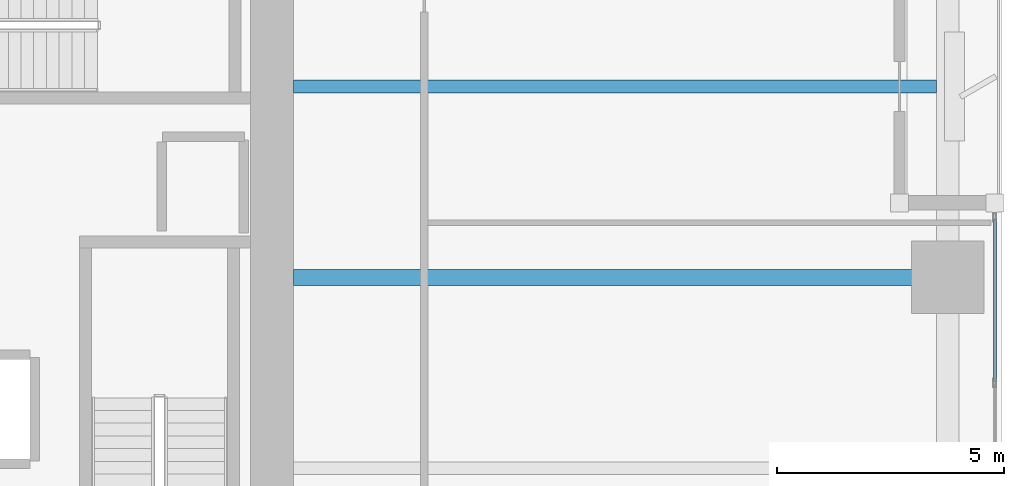
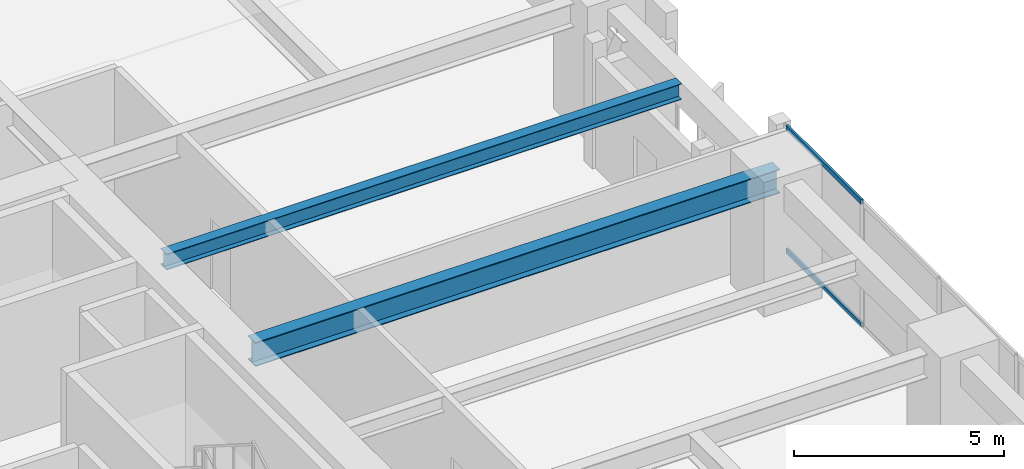
# One storey, part 9 of 28: 2 beams, 2 members, 1 element without a shape of its own.
"""IFC4 building model written with IfcOpenShell, lengths in metres."""

from ifc_helpers import new_model, si_unit, direction, frame, origin, origin_2d, place, context, subcontext, project, spatial, hollow_rectangle, i_section, extrude, material, layer, layer_set, material_profile, profile_set, type_object, element, aggregate, save


model = new_model("IFC4")

# Units and contexts
model_context = context("Model", 3, precision=1e-05, world=origin(), true_north=direction((0.0, 1.0)))
body_context = subcontext(model_context, "Body", "Model", "MODEL_VIEW")
ifc_project = project(units=[si_unit("LENGTHUNIT", "METRE"), si_unit("AREAUNIT", "SQUARE_METRE"), si_unit("VOLUMEUNIT", "CUBIC_METRE"), si_unit("PLANEANGLEUNIT", "RADIAN"), si_unit("MASSUNIT", "GRAM", prefix="KILO")], contexts=[model_context])

# Site, building, storey
site_placement = place(None, origin())
site = spatial("IfcSite", under=ifc_project, at=site_placement, CompositionType="ELEMENT")
building_placement = place(site_placement, origin())
building = spatial("IfcBuilding", under=site, at=building_placement, Name="Kiyonajd Concourse Tower", CompositionType="ELEMENT")
storey_placement = place(building_placement, frame((0.0, 0.0, 64.5)))
storey = spatial("IfcBuildingStorey", under=building, at=storey_placement, Name="L17", CompositionType="ELEMENT", Elevation=64.5)

# Beams
ifc_material_1 = material(Name="Steel ASTM A992 Grade 50", Category="steel")
ifc_material_profile_1 = material_profile(ifc_material_1, i_section(OverallWidth=0.280029296875, OverallDepth=0.462890625, WebThickness=0.0107421875, FlangeThickness=0.017333984375, at=origin_2d()), Name="W460X113")
ifc_profile_set_1 = profile_set([ifc_material_profile_1], Name="Steel ASTM A992 Grade 50")
beam_type_1 = type_object("IfcBeamType", Name="BM-JST-460A", PredefinedType="JOIST", material=ifc_profile_set_1)
beam_1_placement = place(storey_placement, frame((63.60009765625, 40.199951171875, 3.408447265625), z_axis=(1.0, 0.0, 0.0), x_axis=(0.0, 1.0, 0.0)))
element("IfcBeam", 1, at=beam_1_placement, inside=storey, type_object=beam_type_1, Name="L17 East Secondary Floor Joist", PredefinedType="JOIST", context=body_context, shape_type="SweptSolid", body=[
    extrude(i_section(OverallWidth=0.280029296875, OverallDepth=0.462890625, WebThickness=0.0107421875, FlangeThickness=0.017333984375, at=origin_2d()), origin(), (0.0, 0.0, 1.0), 14.14990234375),
])
ifc_material_profile_2 = material_profile(ifc_material_1, i_section(OverallWidth=0.35498046875, OverallDepth=0.695068359375, WebThickness=0.015380859375, FlangeThickness=0.02490234375, at=origin_2d()), Name="W690X217")
ifc_profile_set_2 = profile_set([ifc_material_profile_2], Name="Steel ASTM A992 Grade 50")
beam_type_2 = type_object("IfcBeamType", Name="BM-TWR-690", PredefinedType="BEAM", material=ifc_profile_set_2)
beam_2_placement = place(storey_placement, frame((63.60009765625, 36.0, 3.29248046875), z_axis=(1.0, 0.0, 0.0), x_axis=(0.0, 1.0, 0.0)))
element("IfcBeam", 2, at=beam_2_placement, inside=storey, type_object=beam_type_2, Name="L17 East Lease Girder", PredefinedType="BEAM", context=body_context, shape_type="SweptSolid", body=[
    extrude(i_section(OverallWidth=0.35498046875, OverallDepth=0.695068359375, WebThickness=0.015380859375, FlangeThickness=0.02490234375, at=origin_2d()), origin(), (0.0, 0.0, 1.0), 14.39990234375),
])

# Curtain wall, members
ifc_material_2 = material(Name="Thermally Broken Anodised Aluminium", Category="aluminium")
ifc_layer = layer(ifc_material_2, 0.179931640625)
ifc_layer_set = layer_set([ifc_layer], Name="Thermally Broken Anodised Aluminium")
curtain_wall_type = type_object("IfcCurtainWallType", Name="CW-SYS-02", PredefinedType="NOTDEFINED", material=ifc_layer_set)
curtain_wall_placement = place(storey_placement, origin())
curtain_wall = element("IfcCurtainWall", 3, at=curtain_wall_placement, inside=storey, type_object=curtain_wall_type, Name="L17 Unitised Curtain Wall CW2", PredefinedType="NOTDEFINED")
ifc_material_profile_3 = material_profile(ifc_material_2, hollow_rectangle(XDim=0.06494140625, YDim=0.139892578125, WallThickness=0.00390625, at=origin_2d()), Name="TRAN-65x140")
ifc_profile_set_3 = profile_set([ifc_material_profile_3], Name="Thermally Broken Anodised Aluminium")
member_type = type_object("IfcMemberType", Name="MB-CW-TRAN1", PredefinedType="USERDEFINED", material=ifc_profile_set_3)
member_1_placement = place(storey_placement, frame((79.0400390625, 37.284912109375, 0.032470703125), z_axis=(0.0, -1.0, 0.0), x_axis=(1.0, 0.0, 0.0)))
member_1 = element("IfcMember", 4, at=member_1_placement, type_object=member_type, Name="CW2 transom 1.1", ObjectType="TRANSOM", PredefinedType="USERDEFINED", context=body_context, shape_type="SweptSolid", body=[
    extrude(hollow_rectangle(XDim=0.06494140625, YDim=0.139892578125, WallThickness=0.00390625, at=origin_2d()), origin(), (0.0, 0.0, 1.0), 3.57568359375),
])
member_2_placement = place(storey_placement, frame((79.0400390625, 37.284912109375, 3.607421875), z_axis=(0.0, -1.0, 0.0), x_axis=(1.0, 0.0, 0.0)))
member_2 = element("IfcMember", 5, at=member_2_placement, type_object=member_type, Name="CW2 transom 1.2", ObjectType="TRANSOM", PredefinedType="USERDEFINED", context=body_context, shape_type="SweptSolid", body=[
    extrude(hollow_rectangle(XDim=0.06494140625, YDim=0.139892578125, WallThickness=0.00390625, at=origin_2d()), origin(), (0.0, 0.0, 1.0), 3.57568359375),
])
aggregate(curtain_wall, [member_1, member_2])

save(model, "model.ifc")
